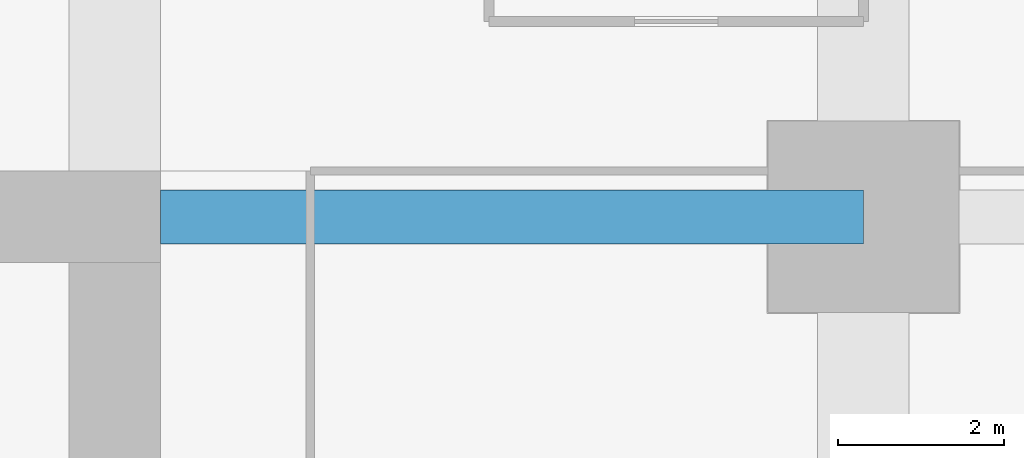
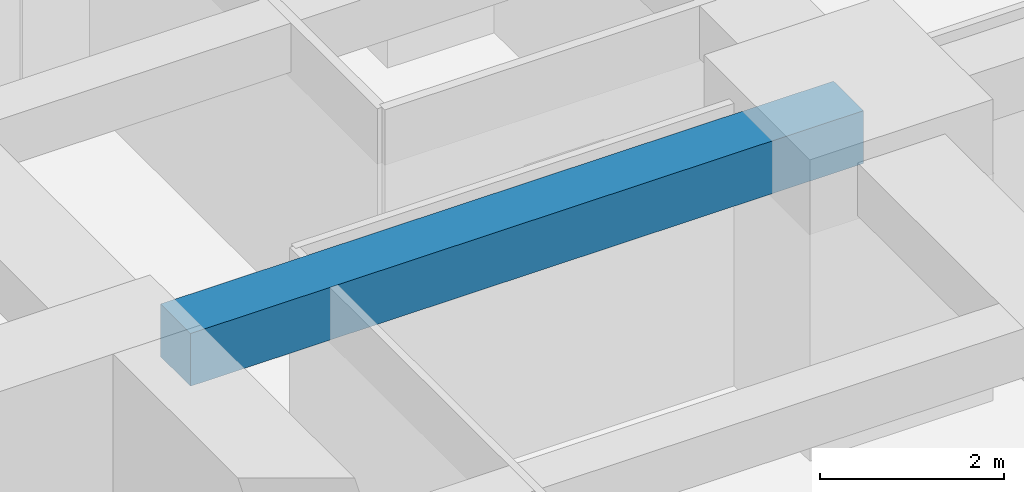
# One storey, part 31 of 50: 1 beam.
"""IFC4 building model written with IfcOpenShell, lengths in metres."""

from ifc_helpers import new_model, si_unit, direction, frame, origin, origin_2d, place, context, subcontext, project, spatial, rectangle, extrude, material, material_profile, profile_set, type_object, element, save


model = new_model("IFC4")

# Units and contexts
model_context = context("Model", 3, precision=1e-05, world=origin(), true_north=direction((0.0, 1.0)))
body_context = subcontext(model_context, "Body", "Model", "MODEL_VIEW")
ifc_project = project(units=[si_unit("LENGTHUNIT", "METRE"), si_unit("AREAUNIT", "SQUARE_METRE"), si_unit("VOLUMEUNIT", "CUBIC_METRE"), si_unit("PLANEANGLEUNIT", "RADIAN"), si_unit("MASSUNIT", "GRAM", prefix="KILO")], contexts=[model_context])

# Site, building, storey
site_placement = place(None, origin())
site = spatial("IfcSite", under=ifc_project, at=site_placement, CompositionType="ELEMENT")
building_placement = place(site_placement, origin())
building = spatial("IfcBuilding", under=site, at=building_placement, Name="Zorevar Civic Tower", CompositionType="ELEMENT")
storey_placement = place(building_placement, frame((0.0, 0.0, 85.0)))
storey = spatial("IfcBuildingStorey", under=building, at=storey_placement, Name="L20", CompositionType="ELEMENT", Elevation=85.0)

# Beam
ifc_material = material(Name="Concrete C50/60", Category="concrete")
ifc_material_profile = material_profile(ifc_material, rectangle(XDim=0.64990234375, YDim=0.699951171875, at=origin_2d()), Name="RC 650x700")
ifc_profile_set = profile_set([ifc_material_profile], Name="Concrete C50/60")
beam_type = type_object("IfcBeamType", Name="Beam RC 650x700", PredefinedType="BEAM", material=ifc_profile_set)
beam_placement = place(storey_placement, frame((45.550048828125, 36.0, 3.39990234375), z_axis=(1.0, 0.0, 0.0), x_axis=(0.0, 1.0, 0.0)))
element("IfcBeam", 1, at=beam_placement, inside=storey, type_object=beam_type, Name="Girder L21", PredefinedType="BEAM", context=body_context, shape_type="SweptSolid", body=[
    extrude(rectangle(XDim=0.64990234375, YDim=0.699951171875, at=origin_2d()), origin(), (0.0, 0.0, 1.0), 8.449951171875),
])

save(model, "model.ifc")
